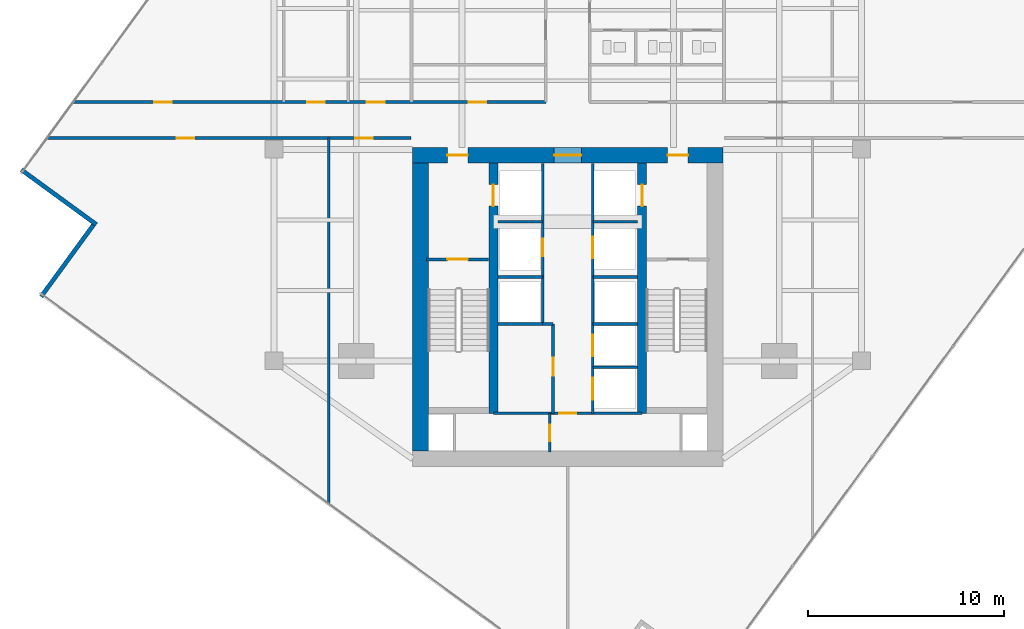
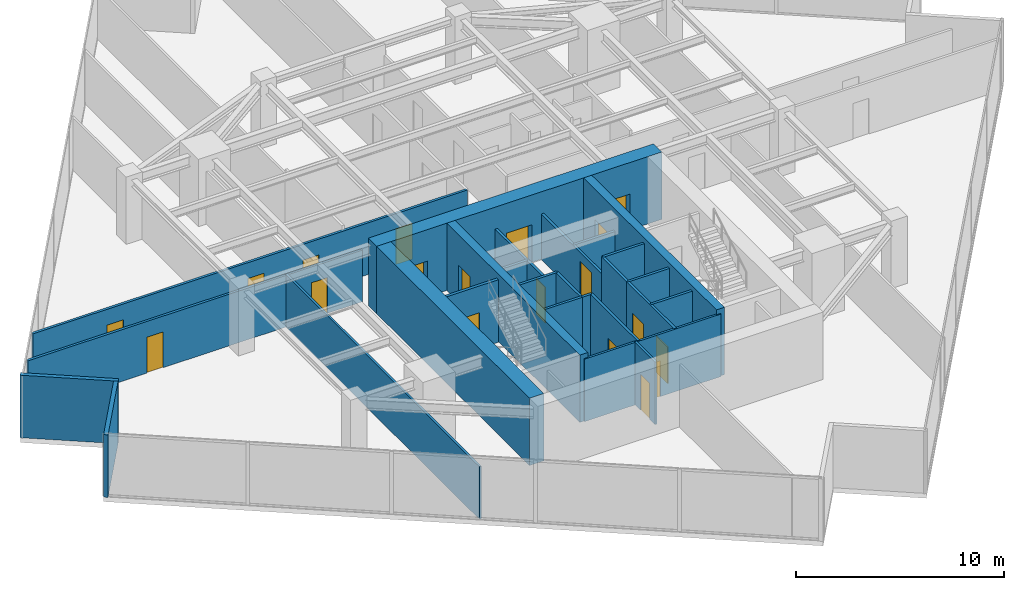
# One storey, part 21 of 25: 26 walls, 19 doors, 19 openings.
"""IFC4 building model written with IfcOpenShell, lengths in metres."""

from ifc_helpers import new_model, si_unit, direction, frame, frame_2d, origin, place, context, subcontext, project, spatial, rectangle, extrude, material, layer, layer_set, type_object, element, fill, save


model = new_model("IFC4")

# Units and contexts
model_context = context("Model", 3, precision=1e-05, world=origin(), true_north=direction((0.0, 1.0)))
body_context = subcontext(model_context, "Body", "Model", "MODEL_VIEW")
ifc_project = project(units=[si_unit("LENGTHUNIT", "METRE"), si_unit("AREAUNIT", "SQUARE_METRE"), si_unit("VOLUMEUNIT", "CUBIC_METRE"), si_unit("PLANEANGLEUNIT", "RADIAN"), si_unit("MASSUNIT", "GRAM", prefix="KILO")], contexts=[model_context])

# Site, building, storey
site_placement = place(None, origin())
site = spatial("IfcSite", under=ifc_project, at=site_placement, CompositionType="ELEMENT")
building_placement = place(site_placement, origin())
building = spatial("IfcBuilding", under=site, at=building_placement, Name="Krantzveldt Concourse Tower", CompositionType="ELEMENT")
storey_placement = place(building_placement, frame((0.0, 0.0, 193.60009765625)))
storey = spatial("IfcBuildingStorey", under=building, at=storey_placement, Name="L47", CompositionType="ELEMENT", Elevation=193.60009765625)

# Walls
ifc_material_1 = material(Name="Anodised aluminium 6063-T6", Category="aluminium")
ifc_layer_1 = layer(ifc_material_1, 0.219970703125, Name="Anodised aluminium 6063-T6", Category="aluminium")
ifc_layer_set_1 = layer_set([ifc_layer_1], Name="Anodised aluminium 6063-T6 (WL-EXT-NOTCH220)")
wall_type_1 = type_object("IfcWallType", Name="WL-EXT-NOTCH220", PredefinedType="ELEMENTEDWALL", material=ifc_layer_set_1)
wall_1_placement = place(storey_placement, frame((8.09716796875, 25.66015625, 0.0), z_axis=(0.0, 0.0, 1.0), x_axis=(0.807742607871, -0.589535308044, 0.0)))
element("IfcWall", 1, at=wall_1_placement, inside=storey, type_object=wall_type_1, Name="EW-L47-NCH02", PredefinedType="ELEMENTEDWALL", context=body_context, shape_type="SweptSolid", body=[
    extrude(rectangle(XDim=4.7451171875, YDim=0.219970703125, at=frame_2d((2.37255859375, 0.0))), origin(), (0.0, 0.0, 1.0), 3.669921875),
])
wall_2_placement = place(storey_placement, frame((11.776123046875, 22.8388671875, 0.0), z_axis=(0.0, 0.0, 1.0), x_axis=(-0.589547091209, -0.807734007732, 0.0)))
element("IfcWall", 2, at=wall_2_placement, inside=storey, type_object=wall_type_1, Name="EW-L47-NCH03", PredefinedType="ELEMENTEDWALL", context=body_context, shape_type="SweptSolid", body=[
    extrude(rectangle(XDim=4.525146484375, YDim=0.219970703125, at=frame_2d((2.2626953125, 0.0))), origin(), (0.0, 0.0, 1.0), 3.669921875),
])

# Wall, opening, door
ifc_material_2 = material(Name="Fire-rated gypsum plasterboard on steel stud", Category="steel")
ifc_layer_2 = layer(ifc_material_2, 0.1201171875, Name="Fire-rated gypsum plasterboard on steel stud", Category="steel")
ifc_layer_set_2 = layer_set([ifc_layer_2], Name="Fire-rated gypsum plasterboard on steel stud (WL-PART-120)")
wall_type_2 = type_object("IfcWallType", Name="WL-PART-120", PredefinedType="PARTITIONING", material=ifc_layer_set_2)
wall_3_placement = place(storey_placement, frame((32.2099609375, 13.219970703125, 0.0), z_axis=(0.0, 0.0, 1.0), x_axis=(1.0, 0.0, 0.0)))
wall_3 = element("IfcWall", 3, at=wall_3_placement, inside=storey, type_object=wall_type_2, Name="WP-L47-CS2H", PredefinedType="PARTITIONING", context=body_context, shape_type="SweptSolid", body=[
    extrude(rectangle(XDim=7.580078125, YDim=0.1201171875, at=frame_2d((3.7900390625, 0.0))), origin(), (0.0, 0.0, 1.0), 3.669921875),
])
opening_1_placement = place(wall_3_placement, frame((3.364990234375, 0.0, 0.0)))
opening_1 = element("IfcOpeningElement", 4, at=opening_1_placement, cuts=wall_3, Name="Opening D-IN085", PredefinedType="OPENING", context=body_context, shape_type="SweptSolid", body=[
    extrude(rectangle(XDim=0.85009765625, YDim=2.10009765625, at=frame_2d((0.425048828125, 1.050048828125))), frame((0.0, 0.070068359375, 0.0), z_axis=(0.0, -1.0, 0.0), x_axis=(1.0, 0.0, 0.0)), (0.0, 0.0, 1.0), 0.14013671875),
])
ifc_material_3 = material(Name="Hardwood timber", Category="wood")
door_type_1 = type_object("IfcDoorType", Name="DR-INT-850", OperationType="SINGLE_SWING_LEFT", PredefinedType="DOOR", material=ifc_material_3)
door_1_placement = place(opening_1_placement, origin())
door_1 = element("IfcDoor", 5, at=door_1_placement, inside=storey, type_object=door_type_1, Name="DR-L47-LLBS", OperationType="SINGLE_SWING_RIGHT", OverallHeight=2.10009765625, OverallWidth=0.85009765625, PredefinedType="DOOR", context=body_context, shape_type="SweptSolid", body=[
    extrude(rectangle(XDim=0.85009765625, YDim=2.10009765625, at=frame_2d((0.425048828125, 1.050048828125))), frame((0.0, 0.02490234375, 0.0), z_axis=(0.0, -1.0, 0.0), x_axis=(1.0, 0.0, 0.0)), (0.0, 0.0, 1.0), 0.050048828125),
])
fill(opening_1, door_1)

wall_4_placement = place(storey_placement, frame((35.080078125, 11.25, 0.0), z_axis=(0.0, 0.0, 1.0), x_axis=(0.0, 1.0, 0.0)))
wall_4 = element("IfcWall", 6, at=wall_4_placement, inside=storey, type_object=wall_type_2, Name="WP-L47-CSA-V", PredefinedType="PARTITIONING", context=body_context, shape_type="SweptSolid", body=[
    extrude(rectangle(XDim=1.969970703125, YDim=0.1201171875, at=frame_2d((0.98486328125, 0.0))), origin(), (0.0, 0.0, 1.0), 3.669921875),
])
opening_2_placement = place(wall_4_placement, frame((0.544921875, 0.0, 0.0)))
opening_2 = element("IfcOpeningElement", 7, at=opening_2_placement, cuts=wall_4, Name="Opening D-IN085", PredefinedType="OPENING", context=body_context, shape_type="SweptSolid", body=[
    extrude(rectangle(XDim=0.85009765625, YDim=2.10009765625, at=frame_2d((0.425048828125, 1.050048828125))), frame((0.0, 0.070068359375, 0.0), z_axis=(0.0, -1.0, 0.0), x_axis=(1.0, 0.0, 0.0)), (0.0, 0.0, 1.0), 0.14013671875),
])
door_2_placement = place(opening_2_placement, origin())
door_2 = element("IfcDoor", 8, at=door_2_placement, inside=storey, type_object=door_type_1, Name="DR-L47-CSA1", OperationType="SINGLE_SWING_LEFT", OverallHeight=2.10009765625, OverallWidth=0.85009765625, PredefinedType="DOOR", context=body_context, shape_type="SweptSolid", body=[
    extrude(rectangle(XDim=0.85009765625, YDim=2.10009765625, at=frame_2d((0.425048828125, 1.050048828125))), frame((0.0, 0.02490234375, 0.0), z_axis=(0.0, -1.0, 0.0), x_axis=(1.0, 0.0, 0.0)), (0.0, 0.0, 1.0), 0.050048828125),
])
fill(opening_2, door_2)

# Wall
wall_5_placement = place(storey_placement, frame((23.800048828125, 8.60302734375, 0.0), z_axis=(0.0, 0.0, 1.0), x_axis=(0.0, 1.0, 0.0)))
element("IfcWall", 9, at=wall_5_placement, inside=storey, type_object=wall_type_2, Name="WP-L47-SWX1", PredefinedType="PARTITIONING", context=body_context, shape_type="SweptSolid", body=[
    extrude(rectangle(XDim=18.677001953125, YDim=0.1201171875, at=frame_2d((9.33837890625, 0.0))), origin(), (0.0, 0.0, 1.0), 3.079833984375),
])

# Wall, openings, doors
ifc_layer_3 = layer(ifc_material_2, 0.139892578125, Name="Fire-rated gypsum plasterboard on steel stud", Category="steel")
ifc_layer_set_3 = layer_set([ifc_layer_3], Name="Fire-rated gypsum plasterboard on steel stud (WL-PART-140)")
wall_type_3 = type_object("IfcWallType", Name="WL-PART-140", PredefinedType="PARTITIONING", material=ifc_layer_set_3)
wall_6_placement = place(storey_placement, frame((10.764892578125, 29.1201171875, 0.0), z_axis=(0.0, 0.0, 1.0), x_axis=(1.0, 0.0, 0.0)))
wall_6 = element("IfcWall", 10, at=wall_6_placement, inside=storey, type_object=wall_type_3, Name="WP-L47-EWNL", PredefinedType="PARTITIONING", context=body_context, shape_type="SweptSolid", body=[
    extrude(rectangle(XDim=24.114990234375, YDim=0.139892578125, at=frame_2d((12.0576171875, 0.0))), origin(), (0.0, 0.0, 1.0), 3.02978515625),
])
opening_3_placement = place(wall_6_placement, frame((20.185302734375, 0.0, 0.0)))
opening_3 = element("IfcOpeningElement", 11, at=opening_3_placement, cuts=wall_6, Name="Opening D-IN090", PredefinedType="OPENING", context=body_context, shape_type="SweptSolid", body=[
    extrude(rectangle(XDim=0.89990234375, YDim=2.10009765625, at=frame_2d((0.449951171875, 1.050048828125))), frame((0.0, 0.080078125, 0.0), z_axis=(0.0, -1.0, 0.0), x_axis=(1.0, 0.0, 0.0)), (0.0, 0.0, 1.0), 0.159912109375),
])
opening_4_placement = place(wall_6_placement, frame((4.115234375, 0.0, 0.0)))
opening_4 = element("IfcOpeningElement", 12, at=opening_4_placement, cuts=wall_6, Name="Opening D-IN090", PredefinedType="OPENING", context=body_context, shape_type="SweptSolid", body=[
    extrude(rectangle(XDim=0.89990234375, YDim=2.10009765625, at=frame_2d((0.449951171875, 1.050048828125))), frame((0.0, 0.080078125, 0.0), z_axis=(0.0, -1.0, 0.0), x_axis=(1.0, 0.0, 0.0)), (0.0, 0.0, 1.0), 0.159912109375),
])
opening_5_placement = place(wall_6_placement, frame((11.935302734375, 0.0, 0.0)))
opening_5 = element("IfcOpeningElement", 13, at=opening_5_placement, cuts=wall_6, Name="Opening D-IN090", PredefinedType="OPENING", context=body_context, shape_type="SweptSolid", body=[
    extrude(rectangle(XDim=0.89990234375, YDim=2.10009765625, at=frame_2d((0.449951171875, 1.050048828125))), frame((0.0, 0.080078125, 0.0), z_axis=(0.0, -1.0, 0.0), x_axis=(1.0, 0.0, 0.0)), (0.0, 0.0, 1.0), 0.159912109375),
])
opening_6_placement = place(wall_6_placement, frame((14.985107421875, 0.0, 0.0)))
opening_6 = element("IfcOpeningElement", 14, at=opening_6_placement, cuts=wall_6, Name="Opening D-IN090", PredefinedType="OPENING", context=body_context, shape_type="SweptSolid", body=[
    extrude(rectangle(XDim=0.89990234375, YDim=2.10009765625, at=frame_2d((0.449951171875, 1.050048828125))), frame((0.0, 0.080078125, 0.0), z_axis=(0.0, -1.0, 0.0), x_axis=(1.0, 0.0, 0.0)), (0.0, 0.0, 1.0), 0.159912109375),
])
door_type_2 = type_object("IfcDoorType", Name="DR-INT-900", OperationType="SINGLE_SWING_LEFT", PredefinedType="DOOR", material=ifc_material_3)
door_3_placement = place(opening_3_placement, origin())
door_3 = element("IfcDoor", 15, at=door_3_placement, inside=storey, type_object=door_type_2, Name="DR-L47-ALCL", OperationType="SINGLE_SWING_LEFT", OverallHeight=2.10009765625, OverallWidth=0.89990234375, PredefinedType="DOOR", context=body_context, shape_type="SweptSolid", body=[
    extrude(rectangle(XDim=0.89990234375, YDim=2.10009765625, at=frame_2d((0.449951171875, 1.050048828125))), frame((0.0, 0.02490234375, 0.0), z_axis=(0.0, -1.0, 0.0), x_axis=(1.0, 0.0, 0.0)), (0.0, 0.0, 1.0), 0.050048828125),
])
fill(opening_3, door_3)
door_4_placement = place(opening_4_placement, origin())
door_4 = element("IfcDoor", 16, at=door_4_placement, inside=storey, type_object=door_type_2, Name="DR-L47-NWX1", OperationType="SINGLE_SWING_LEFT", OverallHeight=2.10009765625, OverallWidth=0.89990234375, PredefinedType="DOOR", context=body_context, shape_type="SweptSolid", body=[
    extrude(rectangle(XDim=0.89990234375, YDim=2.10009765625, at=frame_2d((0.449951171875, 1.050048828125))), frame((0.0, 0.02490234375, 0.0), z_axis=(0.0, -1.0, 0.0), x_axis=(1.0, 0.0, 0.0)), (0.0, 0.0, 1.0), 0.050048828125),
])
fill(opening_4, door_4)
door_5_placement = place(opening_5_placement, origin())
door_5 = element("IfcDoor", 17, at=door_5_placement, inside=storey, type_object=door_type_2, Name="DR-L47-NWX2", OperationType="SINGLE_SWING_LEFT", OverallHeight=2.10009765625, OverallWidth=0.89990234375, PredefinedType="DOOR", context=body_context, shape_type="SweptSolid", body=[
    extrude(rectangle(XDim=0.89990234375, YDim=2.10009765625, at=frame_2d((0.449951171875, 1.050048828125))), frame((0.0, 0.02490234375, 0.0), z_axis=(0.0, -1.0, 0.0), x_axis=(1.0, 0.0, 0.0)), (0.0, 0.0, 1.0), 0.050048828125),
])
fill(opening_5, door_5)
door_6_placement = place(opening_6_placement, origin())
door_6 = element("IfcDoor", 18, at=door_6_placement, inside=storey, type_object=door_type_2, Name="DR-L47-NWX3", OperationType="SINGLE_SWING_LEFT", OverallHeight=2.10009765625, OverallWidth=0.89990234375, PredefinedType="DOOR", context=body_context, shape_type="SweptSolid", body=[
    extrude(rectangle(XDim=0.89990234375, YDim=2.10009765625, at=frame_2d((0.449951171875, 1.050048828125))), frame((0.0, 0.02490234375, 0.0), z_axis=(0.0, -1.0, 0.0), x_axis=(1.0, 0.0, 0.0)), (0.0, 0.0, 1.0), 0.050048828125),
])
fill(opening_6, door_6)

wall_7_placement = place(storey_placement, frame((9.421875, 27.280029296875, 0.0), z_axis=(0.0, 0.0, 1.0), x_axis=(1.0, 0.0, 0.0)))
wall_7 = element("IfcWall", 19, at=wall_7_placement, inside=storey, type_object=wall_type_3, Name="WP-L47-EWSL", PredefinedType="PARTITIONING", context=body_context, shape_type="SweptSolid", body=[
    extrude(rectangle(XDim=18.578125, YDim=0.139892578125, at=frame_2d((9.2890625, 0.0))), origin(), (0.0, 0.0, 1.0), 3.02978515625),
])
opening_7_placement = place(wall_7_placement, frame((6.608154296875, 0.0, 0.0)))
opening_7 = element("IfcOpeningElement", 20, at=opening_7_placement, cuts=wall_7, Name="Opening D-IN090", PredefinedType="OPENING", context=body_context, shape_type="SweptSolid", body=[
    extrude(rectangle(XDim=0.89990234375, YDim=2.10009765625, at=frame_2d((0.449951171875, 1.050048828125))), frame((0.0, 0.080078125, 0.0), z_axis=(0.0, -1.0, 0.0), x_axis=(1.0, 0.0, 0.0)), (0.0, 0.0, 1.0), 0.159912109375),
])
opening_8_placement = place(wall_7_placement, frame((15.728271484375, 0.0, 0.0)))
opening_8 = element("IfcOpeningElement", 21, at=opening_8_placement, cuts=wall_7, Name="Opening D-IN090", PredefinedType="OPENING", context=body_context, shape_type="SweptSolid", body=[
    extrude(rectangle(XDim=0.89990234375, YDim=2.10009765625, at=frame_2d((0.449951171875, 1.050048828125))), frame((0.0, 0.080078125, 0.0), z_axis=(0.0, -1.0, 0.0), x_axis=(1.0, 0.0, 0.0)), (0.0, 0.0, 1.0), 0.159912109375),
])
door_7_placement = place(opening_7_placement, origin())
door_7 = element("IfcDoor", 22, at=door_7_placement, inside=storey, type_object=door_type_2, Name="DR-L47-SWX1", OperationType="SINGLE_SWING_LEFT", OverallHeight=2.10009765625, OverallWidth=0.89990234375, PredefinedType="DOOR", context=body_context, shape_type="SweptSolid", body=[
    extrude(rectangle(XDim=0.89990234375, YDim=2.10009765625, at=frame_2d((0.449951171875, 1.050048828125))), frame((0.0, 0.02490234375, 0.0), z_axis=(0.0, -1.0, 0.0), x_axis=(1.0, 0.0, 0.0)), (0.0, 0.0, 1.0), 0.050048828125),
])
fill(opening_7, door_7)
door_8_placement = place(opening_8_placement, origin())
door_8 = element("IfcDoor", 23, at=door_8_placement, inside=storey, type_object=door_type_2, Name="DR-L47-SWX2", OperationType="SINGLE_SWING_LEFT", OverallHeight=2.10009765625, OverallWidth=0.89990234375, PredefinedType="DOOR", context=body_context, shape_type="SweptSolid", body=[
    extrude(rectangle(XDim=0.89990234375, YDim=2.10009765625, at=frame_2d((0.449951171875, 1.050048828125))), frame((0.0, 0.02490234375, 0.0), z_axis=(0.0, -1.0, 0.0), x_axis=(1.0, 0.0, 0.0)), (0.0, 0.0, 1.0), 0.050048828125),
])
fill(opening_8, door_8)

# Wall, opening, door
ifc_layer_4 = layer(ifc_material_2, 0.139892578125, Name="Fire-rated gypsum plasterboard on steel stud", Category="steel")
ifc_layer_set_4 = layer_set([ifc_layer_4], Name="Fire-rated gypsum plasterboard on steel stud (WL-PART-FR140)")
wall_type_4 = type_object("IfcWallType", Name="WL-PART-FR140", PredefinedType="PARTITIONING", material=ifc_layer_set_4)
wall_8_placement = place(storey_placement, frame((34.719970703125, 20.199951171875, 0.0), z_axis=(0.0, 0.0, 1.0), x_axis=(0.0, 1.0, 0.0)))
wall_8 = element("IfcWall", 24, at=wall_8_placement, inside=storey, type_object=wall_type_4, Name="WP-L47-SHNW", PredefinedType="PARTITIONING", context=body_context, shape_type="SweptSolid", body=[
    extrude(rectangle(XDim=5.780029296875, YDim=0.139892578125, at=frame_2d((2.89013671875, 0.0))), origin(), (0.0, 0.0, 1.0), 2.669921875),
])
opening_9_placement = place(wall_8_placement, frame((1.050048828125, 0.0, 0.0)))
opening_9 = element("IfcOpeningElement", 25, at=opening_9_placement, cuts=wall_8, Name="Opening D-FD090", PredefinedType="OPENING", context=body_context, shape_type="SweptSolid", body=[
    extrude(rectangle(XDim=0.89990234375, YDim=2.10009765625, at=frame_2d((0.449951171875, 1.050048828125))), frame((0.0, 0.080078125, 0.0), z_axis=(0.0, -1.0, 0.0), x_axis=(1.0, 0.0, 0.0)), (0.0, 0.0, 1.0), 0.159912109375),
])
door_type_3 = type_object("IfcDoorType", Name="DR-FD60-900", OperationType="SINGLE_SWING_LEFT", PredefinedType="DOOR", material=ifc_material_3)
door_9_placement = place(opening_9_placement, origin())
door_9 = element("IfcDoor", 26, at=door_9_placement, inside=storey, type_object=door_type_3, Name="Electrical Riser Access Door L47", OperationType="SINGLE_SWING_LEFT", OverallHeight=2.10009765625, OverallWidth=0.89990234375, PredefinedType="DOOR", context=body_context, shape_type="SweptSolid", body=[
    extrude(rectangle(XDim=0.89990234375, YDim=2.10009765625, at=frame_2d((0.449951171875, 1.050048828125))), frame((0.0, 0.02490234375, 0.0), z_axis=(0.0, -1.0, 0.0), x_axis=(1.0, 0.0, 0.0)), (0.0, 0.0, 1.0), 0.050048828125),
])
fill(opening_9, door_9)

wall_9_placement = place(storey_placement, frame((37.280029296875, 20.199951171875, 0.0), z_axis=(0.0, 0.0, 1.0), x_axis=(0.0, 1.0, 0.0)))
wall_9 = element("IfcWall", 27, at=wall_9_placement, inside=storey, type_object=wall_type_4, Name="WP-L47-SHNE", PredefinedType="PARTITIONING", context=body_context, shape_type="SweptSolid", body=[
    extrude(rectangle(XDim=5.780029296875, YDim=0.139892578125, at=frame_2d((2.89013671875, 0.0))), origin(), (0.0, 0.0, 1.0), 2.669921875),
])
opening_10_placement = place(wall_9_placement, frame((0.949951171875, 0.0, 0.0)))
opening_10 = element("IfcOpeningElement", 28, at=opening_10_placement, cuts=wall_9, Name="Opening LD", PredefinedType="OPENING", context=body_context, shape_type="SweptSolid", body=[
    extrude(rectangle(XDim=1.10009765625, YDim=2.14990234375, at=frame_2d((0.550048828125, 1.074951171875))), frame((0.0, 0.080078125, 0.0), z_axis=(0.0, -1.0, 0.0), x_axis=(1.0, 0.0, 0.0)), (0.0, 0.0, 1.0), 0.159912109375),
])
ifc_material_4 = material(Name="Stainless steel 316L", Category="steel")
door_type_4 = type_object("IfcDoorType", Name="DR-SLIDE-LD1100", OperationType="DOUBLE_DOOR_SLIDING", PredefinedType="DOOR", material=ifc_material_4)
door_10_placement = place(opening_10_placement, origin())
door_10 = element("IfcDoor", 29, at=door_10_placement, inside=storey, type_object=door_type_4, Name="LD-L47-GL1", OperationType="DOUBLE_DOOR_SLIDING", OverallHeight=2.14990234375, OverallWidth=1.10009765625, PredefinedType="DOOR", context=body_context, shape_type="SweptSolid", body=[
    extrude(rectangle(XDim=1.10009765625, YDim=2.14990234375, at=frame_2d((0.550048828125, 1.074951171875))), frame((0.0, 0.02490234375, 0.0), z_axis=(0.0, -1.0, 0.0), x_axis=(1.0, 0.0, 0.0)), (0.0, 0.0, 1.0), 0.050048828125),
])
fill(opening_10, door_10)

# Walls
for number, where, z_axis, x_axis, name in (
    (30, (32.449951171875, 23.0, 0.0), (0.0, 0.0, 1.0), (1.0, 0.0, 0.0), "WP-L47-RISH"),
    (31, (37.280029296875, 23.0, 0.0), (0.0, 0.0, 1.0), (1.0, 0.0, 0.0), "WP-L47-GLH"),
):
    element("IfcWall", number, at=place(storey_placement, frame(where, z_axis=z_axis, x_axis=x_axis)), inside=storey, type_object=wall_type_4, Name=name, PredefinedType="PARTITIONING", context=body_context, shape_type="SweptSolid", body=[
        extrude(rectangle(XDim=2.27001953125, YDim=0.139892578125, at=frame_2d((1.135009765625, 0.0))), origin(), (0.0, 0.0, 1.0), 2.669921875),
    ])
for number, where, z_axis, x_axis, name in (
    (32, (34.719970703125, 17.780029296875, 0.0), (0.0, 0.0, 1.0), (0.0, 1.0, 0.0), "WP-L47-SHNW2"),
    (33, (37.280029296875, 17.780029296875, 0.0), (0.0, 0.0, 1.0), (0.0, 1.0, 0.0), "WP-L47-SHNE2"),
):
    element("IfcWall", number, at=place(storey_placement, frame(where, z_axis=z_axis, x_axis=x_axis)), inside=storey, type_object=wall_type_4, Name=name, PredefinedType="PARTITIONING", context=body_context, shape_type="SweptSolid", body=[
        extrude(rectangle(XDim=2.419921875, YDim=0.139892578125, at=frame_2d((1.2099609375, 0.0))), origin(), (0.0, 0.0, 1.0), 3.669921875),
    ])
for number, where, z_axis, x_axis, name in (
    (34, (32.449951171875, 17.780029296875, 0.0), (0.0, 0.0, 1.0), (1.0, 0.0, 0.0), "WP-L47-DIVW2"),
    (35, (32.449951171875, 20.179931640625, 0.0), (0.0, 0.0, 1.0), (1.0, 0.0, 0.0), "WP-L47-DIVW3"),
    (36, (37.280029296875, 17.780029296875, 0.0), (0.0, 0.0, 1.0), (1.0, 0.0, 0.0), "WP-L47-DIVE2"),
    (37, (37.280029296875, 20.179931640625, 0.0), (0.0, 0.0, 1.0), (1.0, 0.0, 0.0), "WP-L47-DIVE3"),
):
    element("IfcWall", number, at=place(storey_placement, frame(where, z_axis=z_axis, x_axis=x_axis)), inside=storey, type_object=wall_type_4, Name=name, PredefinedType="PARTITIONING", context=body_context, shape_type="SweptSolid", body=[
        extrude(rectangle(XDim=2.27001953125, YDim=0.139892578125, at=frame_2d((1.135009765625, 0.0))), origin(), (0.0, 0.0, 1.0), 3.669921875),
    ])

# Wall, opening, door
wall_10_placement = place(storey_placement, frame((35.25, 13.219970703125, 0.0), z_axis=(0.0, 0.0, 1.0), x_axis=(0.0, 1.0, 0.0)))
wall_10 = element("IfcWall", 38, at=wall_10_placement, inside=storey, type_object=wall_type_4, Name="WP-L47-RECW", PredefinedType="PARTITIONING", context=body_context, shape_type="SweptSolid", body=[
    extrude(rectangle(XDim=4.56005859375, YDim=0.139892578125, at=frame_2d((2.280029296875, 0.0))), origin(), (0.0, 0.0, 1.0), 3.669921875),
])
opening_11_placement = place(wall_10_placement, frame((1.929931640625, 0.0, 0.0)))
opening_11 = element("IfcOpeningElement", 39, at=opening_11_placement, cuts=wall_10, Name="Opening D-FD090", PredefinedType="OPENING", context=body_context, shape_type="SweptSolid", body=[
    extrude(rectangle(XDim=0.89990234375, YDim=2.10009765625, at=frame_2d((0.449951171875, 1.050048828125))), frame((0.0, 0.080078125, 0.0), z_axis=(0.0, -1.0, 0.0), x_axis=(1.0, 0.0, 0.0)), (0.0, 0.0, 1.0), 0.159912109375),
])
door_11_placement = place(opening_11_placement, origin())
door_11 = element("IfcDoor", 40, at=door_11_placement, inside=storey, type_object=door_type_3, Name="DR-L47-RECW", OperationType="SINGLE_SWING_LEFT", OverallHeight=2.10009765625, OverallWidth=0.89990234375, PredefinedType="DOOR", context=body_context, shape_type="SweptSolid", body=[
    extrude(rectangle(XDim=0.89990234375, YDim=2.10009765625, at=frame_2d((0.449951171875, 1.050048828125))), frame((0.0, 0.02490234375, 0.0), z_axis=(0.0, -1.0, 0.0), x_axis=(1.0, 0.0, 0.0)), (0.0, 0.0, 1.0), 0.050048828125),
])
fill(opening_11, door_11)

# Wall
wall_11_placement = place(storey_placement, frame((34.719970703125, 17.780029296875, 0.0), z_axis=(0.0, 0.0, 1.0), x_axis=(1.0, 0.0, 0.0)))
element("IfcWall", 41, at=wall_11_placement, inside=storey, type_object=wall_type_4, Name="WP-L47-RECWN", PredefinedType="PARTITIONING", context=body_context, shape_type="SweptSolid", body=[
    extrude(rectangle(XDim=0.530029296875, YDim=0.139892578125, at=frame_2d((0.26513671875, 0.0))), origin(), (0.0, 0.0, 1.0), 3.669921875),
])

# Wall, openings, doors
wall_12_placement = place(storey_placement, frame((37.280029296875, 13.219970703125, 0.0), z_axis=(0.0, 0.0, 1.0), x_axis=(0.0, 1.0, 0.0)))
wall_12 = element("IfcWall", 42, at=wall_12_placement, inside=storey, type_object=wall_type_4, Name="WP-L47-SHSE", PredefinedType="PARTITIONING", context=body_context, shape_type="SweptSolid", body=[
    extrude(rectangle(XDim=4.56005859375, YDim=0.139892578125, at=frame_2d((2.280029296875, 0.0))), origin(), (0.0, 0.0, 1.0), 3.669921875),
])
opening_12_placement = place(wall_12_placement, frame((0.7099609375, 0.0, 0.0)))
opening_12 = element("IfcOpeningElement", 43, at=opening_12_placement, cuts=wall_12, Name="Opening LD", PredefinedType="OPENING", context=body_context, shape_type="SweptSolid", body=[
    extrude(rectangle(XDim=1.10009765625, YDim=2.14990234375, at=frame_2d((0.550048828125, 1.074951171875))), frame((0.0, 0.080078125, 0.0), z_axis=(0.0, -1.0, 0.0), x_axis=(1.0, 0.0, 0.0)), (0.0, 0.0, 1.0), 0.159912109375),
])
opening_13_placement = place(wall_12_placement, frame((2.909912109375, 0.0, 0.0)))
opening_13 = element("IfcOpeningElement", 44, at=opening_13_placement, cuts=wall_12, Name="Opening LD", PredefinedType="OPENING", context=body_context, shape_type="SweptSolid", body=[
    extrude(rectangle(XDim=1.10009765625, YDim=2.14990234375, at=frame_2d((0.550048828125, 1.074951171875))), frame((0.0, 0.080078125, 0.0), z_axis=(0.0, -1.0, 0.0), x_axis=(1.0, 0.0, 0.0)), (0.0, 0.0, 1.0), 0.159912109375),
])
door_12_placement = place(opening_12_placement, origin())
door_12 = element("IfcDoor", 45, at=door_12_placement, inside=storey, type_object=door_type_4, Name="LD-L47-PM1", OperationType="DOUBLE_DOOR_SLIDING", OverallHeight=2.14990234375, OverallWidth=1.10009765625, PredefinedType="DOOR", context=body_context, shape_type="SweptSolid", body=[
    extrude(rectangle(XDim=1.10009765625, YDim=2.14990234375, at=frame_2d((0.550048828125, 1.074951171875))), frame((0.0, 0.02490234375, 0.0), z_axis=(0.0, -1.0, 0.0), x_axis=(1.0, 0.0, 0.0)), (0.0, 0.0, 1.0), 0.050048828125),
])
fill(opening_12, door_12)
door_13_placement = place(opening_13_placement, origin())
door_13 = element("IfcDoor", 46, at=door_13_placement, inside=storey, type_object=door_type_4, Name="LD-L47-PM2", OperationType="DOUBLE_DOOR_SLIDING", OverallHeight=2.14990234375, OverallWidth=1.10009765625, PredefinedType="DOOR", context=body_context, shape_type="SweptSolid", body=[
    extrude(rectangle(XDim=1.10009765625, YDim=2.14990234375, at=frame_2d((0.550048828125, 1.074951171875))), frame((0.0, 0.02490234375, 0.0), z_axis=(0.0, -1.0, 0.0), x_axis=(1.0, 0.0, 0.0)), (0.0, 0.0, 1.0), 0.050048828125),
])
fill(opening_13, door_13)

# Wall
wall_13_placement = place(storey_placement, frame((37.280029296875, 15.580078125, 0.0), z_axis=(0.0, 0.0, 1.0), x_axis=(1.0, 0.0, 0.0)))
element("IfcWall", 47, at=wall_13_placement, inside=storey, type_object=wall_type_4, Name="WP-L47-DIVE1", PredefinedType="PARTITIONING", context=body_context, shape_type="SweptSolid", body=[
    extrude(rectangle(XDim=2.27001953125, YDim=0.139892578125, at=frame_2d((1.135009765625, 0.0))), origin(), (0.0, 0.0, 1.0), 3.669921875),
])

# Wall, opening, door
ifc_layer_5 = layer(ifc_material_2, 0.159912109375, Name="Fire-rated gypsum plasterboard on steel stud", Category="steel")
ifc_layer_set_5 = layer_set([ifc_layer_5], Name="Fire-rated gypsum plasterboard on steel stud (WL-PART-FR160)")
wall_type_5 = type_object("IfcWallType", Name="WL-PART-FR160", PredefinedType="PARTITIONING", material=ifc_layer_set_5)
wall_14_placement = place(storey_placement, frame((28.800048828125, 21.080078125, 0.0), z_axis=(0.0, 0.0, 1.0), x_axis=(1.0, 0.0, 0.0)))
wall_14 = element("IfcWall", 48, at=wall_14_placement, inside=storey, type_object=wall_type_5, Name="WP-L47-ST1", PredefinedType="PARTITIONING", context=body_context, shape_type="SweptSolid", body=[
    extrude(rectangle(XDim=3.159912109375, YDim=0.159912109375, at=frame_2d((1.580078125, 0.0))), origin(), (0.0, 0.0, 1.0), 3.669921875),
])
opening_14_placement = place(wall_14_placement, frame((1.054931640625, 0.0, 0.0)))
opening_14 = element("IfcOpeningElement", 49, at=opening_14_placement, cuts=wall_14, Name="Opening D-FD105", PredefinedType="OPENING", context=body_context, shape_type="SweptSolid", body=[
    extrude(rectangle(XDim=1.050048828125, YDim=2.10009765625, at=frame_2d((0.52490234375, 1.050048828125))), frame((0.0, 0.08984375, 0.0), z_axis=(0.0, -1.0, 0.0), x_axis=(1.0, 0.0, 0.0)), (0.0, 0.0, 1.0), 0.179931640625),
])
ifc_material_5 = material(Name="Galvanised steel", Category="steel")
door_type_5 = type_object("IfcDoorType", Name="DR-FD120-1050", OperationType="SINGLE_SWING_LEFT", PredefinedType="DOOR", material=ifc_material_5)
door_14_placement = place(opening_14_placement, origin())
door_14 = element("IfcDoor", 50, at=door_14_placement, inside=storey, type_object=door_type_5, Name="DR-L47-ST1", OperationType="SINGLE_SWING_RIGHT", OverallHeight=2.10009765625, OverallWidth=1.050048828125, PredefinedType="DOOR", context=body_context, shape_type="SweptSolid", body=[
    extrude(rectangle(XDim=1.050048828125, YDim=2.10009765625, at=frame_2d((0.52490234375, 1.050048828125))), frame((0.0, 0.02490234375, 0.0), z_axis=(0.0, -1.0, 0.0), x_axis=(1.0, 0.0, 0.0)), (0.0, 0.0, 1.0), 0.050048828125),
])
fill(opening_14, door_14)

ifc_material_6 = material(Name="Concrete C50/60", Category="concrete")
ifc_layer_6 = layer(ifc_material_6, 0.449951171875, Name="Concrete C50/60", Category="concrete")
ifc_layer_set_6 = layer_set([ifc_layer_6], Name="Concrete C50/60 (WL-SHEAR-450)")
wall_type_6 = type_object("IfcWallType", Name="WL-SHEAR-450", PredefinedType="SHEAR", material=ifc_layer_set_6)
wall_15_placement = place(storey_placement, frame((32.205078125, 13.219970703125, 0.0), z_axis=(0.0, 0.0, 1.0), x_axis=(0.0, 1.0, 0.0)))
wall_15 = element("IfcWall", 51, at=wall_15_placement, inside=storey, type_object=wall_type_6, Name="CW-L47-IW", PredefinedType="SHEAR", context=body_context, shape_type="SweptSolid", body=[
    extrude(rectangle(XDim=12.780029296875, YDim=0.449951171875, at=frame_2d((6.39013671875, 0.0))), origin(), (0.0, 0.0, 1.0), 3.949951171875),
])
opening_15_placement = place(wall_15_placement, frame((10.580078125, 0.0, 0.0)))
opening_15 = element("IfcOpeningElement", 52, at=opening_15_placement, cuts=wall_15, Name="Opening LD", PredefinedType="OPENING", context=body_context, shape_type="SweptSolid", body=[
    extrude(rectangle(XDim=1.10009765625, YDim=2.14990234375, at=frame_2d((0.550048828125, 1.074951171875))), frame((0.0, 0.23486328125, 0.0), z_axis=(0.0, -1.0, 0.0), x_axis=(1.0, 0.0, 0.0)), (0.0, 0.0, 1.0), 0.469970703125),
])
door_15_placement = place(opening_15_placement, origin())
door_15 = element("IfcDoor", 53, at=door_15_placement, inside=storey, type_object=door_type_4, Name="LD-L47-FL1", OperationType="DOUBLE_DOOR_SLIDING", OverallHeight=2.14990234375, OverallWidth=1.10009765625, PredefinedType="DOOR", context=body_context, shape_type="SweptSolid", body=[
    extrude(rectangle(XDim=1.10009765625, YDim=2.14990234375, at=frame_2d((0.550048828125, 1.074951171875))), frame((0.0, 0.02490234375, 0.0), z_axis=(0.0, -1.0, 0.0), x_axis=(1.0, 0.0, 0.0)), (0.0, 0.0, 1.0), 0.050048828125),
])
fill(opening_15, door_15)

wall_16_placement = place(storey_placement, frame((39.794921875, 13.219970703125, 0.0), z_axis=(0.0, 0.0, 1.0), x_axis=(0.0, 1.0, 0.0)))
wall_16 = element("IfcWall", 54, at=wall_16_placement, inside=storey, type_object=wall_type_6, Name="CW-L47-IE", PredefinedType="SHEAR", context=body_context, shape_type="SweptSolid", body=[
    extrude(rectangle(XDim=12.780029296875, YDim=0.449951171875, at=frame_2d((6.39013671875, 0.0))), origin(), (0.0, 0.0, 1.0), 3.949951171875),
])
opening_16_placement = place(wall_16_placement, frame((10.580078125, 0.0, 0.0)))
opening_16 = element("IfcOpeningElement", 55, at=opening_16_placement, cuts=wall_16, Name="Opening LD", PredefinedType="OPENING", context=body_context, shape_type="SweptSolid", body=[
    extrude(rectangle(XDim=1.10009765625, YDim=2.14990234375, at=frame_2d((0.550048828125, 1.074951171875))), frame((0.0, 0.23486328125, 0.0), z_axis=(0.0, -1.0, 0.0), x_axis=(1.0, 0.0, 0.0)), (0.0, 0.0, 1.0), 0.469970703125),
])
door_16_placement = place(opening_16_placement, origin())
door_16 = element("IfcDoor", 56, at=door_16_placement, inside=storey, type_object=door_type_4, Name="LD-L47-FL2", OperationType="DOUBLE_DOOR_SLIDING", OverallHeight=2.14990234375, OverallWidth=1.10009765625, PredefinedType="DOOR", context=body_context, shape_type="SweptSolid", body=[
    extrude(rectangle(XDim=1.10009765625, YDim=2.14990234375, at=frame_2d((0.550048828125, 1.074951171875))), frame((0.0, 0.02490234375, 0.0), z_axis=(0.0, -1.0, 0.0), x_axis=(1.0, 0.0, 0.0)), (0.0, 0.0, 1.0), 0.050048828125),
])
fill(opening_16, door_16)

# Wall, openings, doors
ifc_material_7 = material(Name="Concrete C60/75", Category="concrete")
ifc_layer_7 = layer(ifc_material_7, 0.800048828125, Name="Concrete C60/75", Category="concrete")
ifc_layer_set_7 = layer_set([ifc_layer_7], Name="Concrete C60/75 (WL-SHEAR-800)")
wall_type_7 = type_object("IfcWallType", Name="WL-SHEAR-800", PredefinedType="SHEAR", material=ifc_layer_set_7)
wall_17_placement = place(storey_placement, frame((28.080078125, 26.39990234375, 0.0), z_axis=(0.0, 0.0, 1.0), x_axis=(1.0, 0.0, 0.0)))
wall_17 = element("IfcWall", 57, at=wall_17_placement, inside=storey, type_object=wall_type_7, Name="CW-L47-N", PredefinedType="SHEAR", context=body_context, shape_type="SweptSolid", body=[
    extrude(rectangle(XDim=15.83984375, YDim=0.800048828125, at=frame_2d((7.919921875, 0.0))), origin(), (0.0, 0.0, 1.0), 3.949951171875),
])
opening_17_placement = place(wall_17_placement, frame((7.219970703125, 0.0, 0.0)))
opening_17 = element("IfcOpeningElement", 58, at=opening_17_placement, cuts=wall_17, Name="Opening D-DB140", PredefinedType="OPENING", context=body_context, shape_type="SweptSolid", body=[
    extrude(rectangle(XDim=1.39990234375, YDim=2.199951171875, at=frame_2d((0.699951171875, 1.10009765625))), frame((0.0, 0.41015625, 0.0), z_axis=(0.0, -1.0, 0.0), x_axis=(1.0, 0.0, 0.0)), (0.0, 0.0, 1.0), 0.820068359375),
])
opening_18_placement = place(wall_17_placement, frame((1.77490234375, 0.0, 0.0)))
opening_18 = element("IfcOpeningElement", 59, at=opening_18_placement, cuts=wall_17, Name="Opening D-FD105", PredefinedType="OPENING", context=body_context, shape_type="SweptSolid", body=[
    extrude(rectangle(XDim=1.050048828125, YDim=2.10009765625, at=frame_2d((0.52490234375, 1.050048828125))), frame((0.0, 0.41015625, 0.0), z_axis=(0.0, -1.0, 0.0), x_axis=(1.0, 0.0, 0.0)), (0.0, 0.0, 1.0), 0.820068359375),
])
opening_19_placement = place(wall_17_placement, frame((13.014892578125, 0.0, 0.0)))
opening_19 = element("IfcOpeningElement", 60, at=opening_19_placement, cuts=wall_17, Name="Opening D-FD105", PredefinedType="OPENING", context=body_context, shape_type="SweptSolid", body=[
    extrude(rectangle(XDim=1.050048828125, YDim=2.10009765625, at=frame_2d((0.52490234375, 1.050048828125))), frame((0.0, 0.41015625, 0.0), z_axis=(0.0, -1.0, 0.0), x_axis=(1.0, 0.0, 0.0)), (0.0, 0.0, 1.0), 0.820068359375),
])
door_type_6 = type_object("IfcDoorType", Name="DR-DBL-1400", OperationType="DOUBLE_DOOR_SINGLE_SWING", PredefinedType="DOOR", material=ifc_material_1)
door_17_placement = place(opening_17_placement, origin())
door_17 = element("IfcDoor", 61, at=door_17_placement, inside=storey, type_object=door_type_6, Name="DR-L47-LLB", OperationType="DOUBLE_DOOR_SINGLE_SWING", OverallHeight=2.199951171875, OverallWidth=1.39990234375, PredefinedType="DOOR", context=body_context, shape_type="SweptSolid", body=[
    extrude(rectangle(XDim=1.39990234375, YDim=2.199951171875, at=frame_2d((0.699951171875, 1.10009765625))), frame((0.0, 0.02490234375, 0.0), z_axis=(0.0, -1.0, 0.0), x_axis=(1.0, 0.0, 0.0)), (0.0, 0.0, 1.0), 0.050048828125),
])
fill(opening_17, door_17)
door_18_placement = place(opening_18_placement, origin())
door_18 = element("IfcDoor", 62, at=door_18_placement, inside=storey, type_object=door_type_5, Name="DR-L47-FFL1", OperationType="SINGLE_SWING_LEFT", OverallHeight=2.10009765625, OverallWidth=1.050048828125, PredefinedType="DOOR", context=body_context, shape_type="SweptSolid", body=[
    extrude(rectangle(XDim=1.050048828125, YDim=2.10009765625, at=frame_2d((0.52490234375, 1.050048828125))), frame((0.0, 0.02490234375, 0.0), z_axis=(0.0, -1.0, 0.0), x_axis=(1.0, 0.0, 0.0)), (0.0, 0.0, 1.0), 0.050048828125),
])
fill(opening_18, door_18)
door_19_placement = place(opening_19_placement, origin())
door_19 = element("IfcDoor", 63, at=door_19_placement, inside=storey, type_object=door_type_5, Name="DR-L47-FFL2", OperationType="SINGLE_SWING_RIGHT", OverallHeight=2.10009765625, OverallWidth=1.050048828125, PredefinedType="DOOR", context=body_context, shape_type="SweptSolid", body=[
    extrude(rectangle(XDim=1.050048828125, YDim=2.10009765625, at=frame_2d((0.52490234375, 1.050048828125))), frame((0.0, 0.02490234375, 0.0), z_axis=(0.0, -1.0, 0.0), x_axis=(1.0, 0.0, 0.0)), (0.0, 0.0, 1.0), 0.050048828125),
])
fill(opening_19, door_19)

# Wall
wall_18_placement = place(storey_placement, frame((28.47998046875, 11.300048828125, 0.0), z_axis=(0.0, 0.0, 1.0), x_axis=(0.0, 1.0, 0.0)))
element("IfcWall", 64, at=wall_18_placement, inside=storey, type_object=wall_type_7, Name="CW-L47-W", PredefinedType="SHEAR", context=body_context, shape_type="SweptSolid", body=[
    extrude(rectangle(XDim=14.699951171875, YDim=0.800048828125, at=frame_2d((7.35009765625, 0.0))), origin(), (0.0, 0.0, 1.0), 3.949951171875),
])

save(model, "model.ifc")
